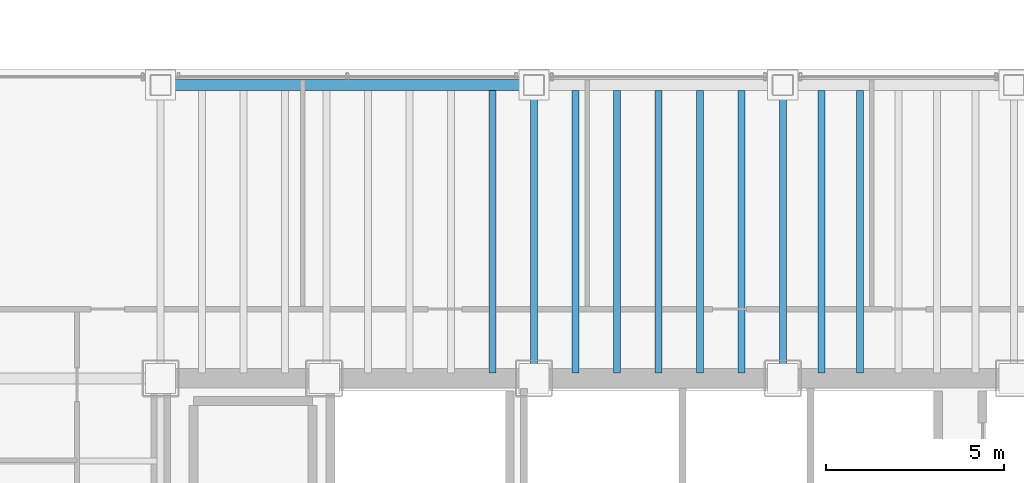
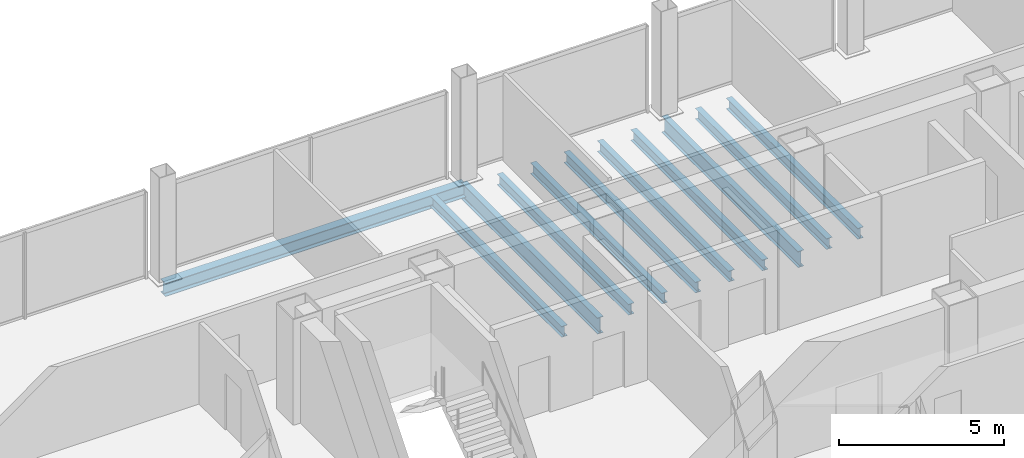
# One storey, part 17 of 30: 11 beams.
"""IFC4 building model written with IfcOpenShell, lengths in metres."""

from ifc_helpers import new_model, si_unit, direction, frame, origin, origin_2d, place, context, subcontext, project, spatial, i_section, extrude, material, material_profile, profile_set, type_object, element, save


model = new_model("IFC4")

# Units and contexts
model_context = context("Model", 3, precision=1e-05, world=origin(), true_north=direction((0.0, 1.0)))
body_context = subcontext(model_context, "Body", "Model", "MODEL_VIEW")
ifc_project = project(units=[si_unit("LENGTHUNIT", "METRE"), si_unit("AREAUNIT", "SQUARE_METRE"), si_unit("VOLUMEUNIT", "CUBIC_METRE"), si_unit("PLANEANGLEUNIT", "RADIAN"), si_unit("MASSUNIT", "GRAM", prefix="KILO")], contexts=[model_context])

# Site, building, storey
site_placement = place(None, origin())
site = spatial("IfcSite", under=ifc_project, at=site_placement, CompositionType="ELEMENT")
building_placement = place(site_placement, origin())
building = spatial("IfcBuilding", under=site, at=building_placement, Name="Noeulbin Bourse Tower", CompositionType="ELEMENT")
storey_placement = place(building_placement, frame((0.0, 0.0, 26.5)))
storey = spatial("IfcBuildingStorey", under=building, at=storey_placement, Name="L06", CompositionType="ELEMENT", Elevation=26.5)

# Beams
ifc_material = material(Name="Steel S355", Category="steel")
ifc_material_profile_1 = material_profile(ifc_material, i_section(OverallWidth=0.199951171875, OverallDepth=0.60009765625, WebThickness=0.010986328125, FlangeThickness=0.01708984375, FilletRadius=0.02197265625, at=origin_2d()), Name="H-600x200x11x17", Category="LoadBearing")
ifc_profile_set_1 = profile_set([ifc_material_profile_1], Name="Steel S355")
beam_type_1 = type_object("IfcBeamType", Name="BM-GRD-600", PredefinedType="USERDEFINED", material=ifc_profile_set_1)
for number, where, z_axis, x_axis, name in (
    (1, (24.0, 38.300048828125, -0.47998046875), (0.0, 1.0, 0.0), (-1.0, 0.0, 0.0), "Tower Primary Girder NS L06-2.4"),
    (2, (31.0, 38.300048828125, -0.47998046875), (0.0, 1.0, 0.0), (-1.0, 0.0, 0.0), "Tower Primary Girder NS L06-3.4"),
):
    element("IfcBeam", number, at=place(storey_placement, frame(where, z_axis=z_axis, x_axis=x_axis)), inside=storey, type_object=beam_type_1, Name=name, ObjectType="GIRDER", PredefinedType="USERDEFINED", context=body_context, shape_type="SweptSolid", body=[
        extrude(i_section(OverallWidth=0.199951171875, OverallDepth=0.60009765625, WebThickness=0.010986328125, FlangeThickness=0.01708984375, FilletRadius=0.02197265625, at=origin_2d()), origin(), (0.0, 0.0, 1.0), 8.25),
    ])
ifc_material_profile_2 = material_profile(ifc_material, i_section(OverallWidth=0.199951171875, OverallDepth=0.39990234375, WebThickness=0.008056640625, FlangeThickness=0.012939453125, FilletRadius=0.01611328125, at=origin_2d()), Name="H-400x200x8x13", Category="LoadBearing")
ifc_profile_set_2 = profile_set([ifc_material_profile_2], Name="Steel S355")
beam_type_2 = type_object("IfcBeamType", Name="BM-SEC-400", PredefinedType="BEAM", material=ifc_profile_set_2)
for number, where, z_axis, x_axis, name in (
    (3, (22.833251953125, 38.449951171875, -0.3798828125), (0.0, 1.0, 0.0), (-1.0, 0.0, 0.0), "Tower Composite Joist L06-23"),
    (4, (25.166748046875, 38.449951171875, -0.3798828125), (0.0, 1.0, 0.0), (-1.0, 0.0, 0.0), "Tower Composite Joist L06-26"),
    (5, (26.333251953125, 38.449951171875, -0.3798828125), (0.0, 1.0, 0.0), (-1.0, 0.0, 0.0), "Tower Composite Joist L06-29"),
    (6, (27.5, 38.449951171875, -0.3798828125), (0.0, 1.0, 0.0), (-1.0, 0.0, 0.0), "Tower Composite Joist L06-32"),
    (7, (28.666748046875, 38.449951171875, -0.3798828125), (0.0, 1.0, 0.0), (-1.0, 0.0, 0.0), "Tower Composite Joist L06-35"),
    (8, (29.833251953125, 38.449951171875, -0.3798828125), (0.0, 1.0, 0.0), (-1.0, 0.0, 0.0), "Tower Composite Joist L06-38"),
    (9, (32.083251953125, 38.449951171875, -0.3798828125), (0.0, 1.0, 0.0), (-1.0, 0.0, 0.0), "Tower Composite Joist L06-41"),
    (10, (33.166748046875, 38.449951171875, -0.3798828125), (0.0, 1.0, 0.0), (-1.0, 0.0, 0.0), "Tower Composite Joist L06-44"),
):
    element("IfcBeam", number, at=place(storey_placement, frame(where, z_axis=z_axis, x_axis=x_axis)), inside=storey, type_object=beam_type_2, Name=name, PredefinedType="BEAM", context=body_context, shape_type="SweptSolid", body=[
        extrude(i_section(OverallWidth=0.199951171875, OverallDepth=0.39990234375, WebThickness=0.008056640625, FlangeThickness=0.012939453125, FilletRadius=0.01611328125, at=origin_2d()), origin(), (0.0, 0.0, 1.0), 7.949951171875),
    ])
ifc_material_profile_3 = material_profile(ifc_material, i_section(OverallWidth=0.300048828125, OverallDepth=0.488037109375, WebThickness=0.010986328125, FlangeThickness=0.01806640625, FilletRadius=0.02197265625, at=origin_2d()), Name="H-488x300x11x18", Category="LoadBearing")
ifc_profile_set_3 = profile_set([ifc_material_profile_3], Name="Steel S355")
beam_type_3 = type_object("IfcBeamType", Name="BM-SPN-488", PredefinedType="SPANDREL", material=ifc_profile_set_3)
beam_placement = place(storey_placement, frame((13.5, 46.550048828125, -0.424072265625), z_axis=(1.0, 0.0, 0.0), x_axis=(0.0, 1.0, 0.0)))
element("IfcBeam", 11, at=beam_placement, inside=storey, type_object=beam_type_3, Name="North Spandrel L06-1", PredefinedType="SPANDREL", context=body_context, shape_type="SweptSolid", body=[
    extrude(i_section(OverallWidth=0.300048828125, OverallDepth=0.488037109375, WebThickness=0.010986328125, FlangeThickness=0.01806640625, FilletRadius=0.02197265625, at=origin_2d()), origin(), (0.0, 0.0, 1.0), 10.5),
])

save(model, "model.ifc")
